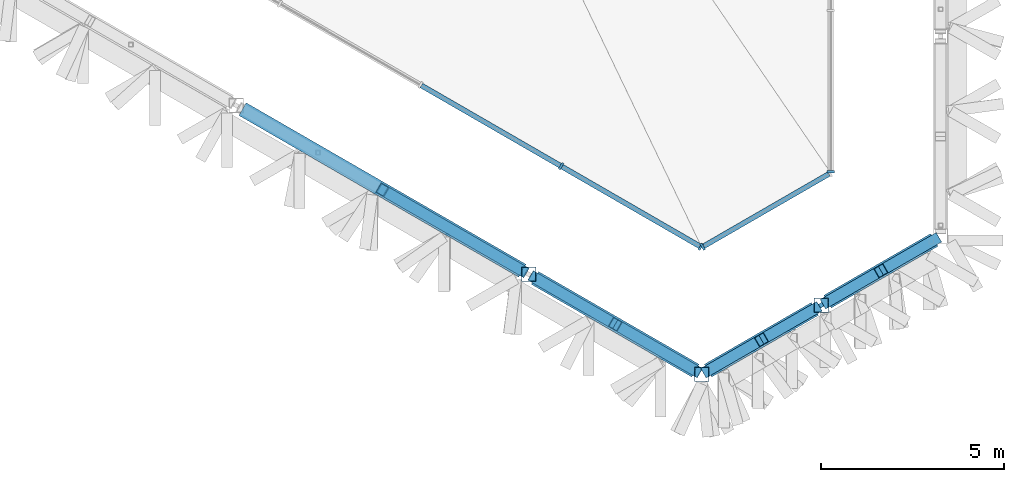
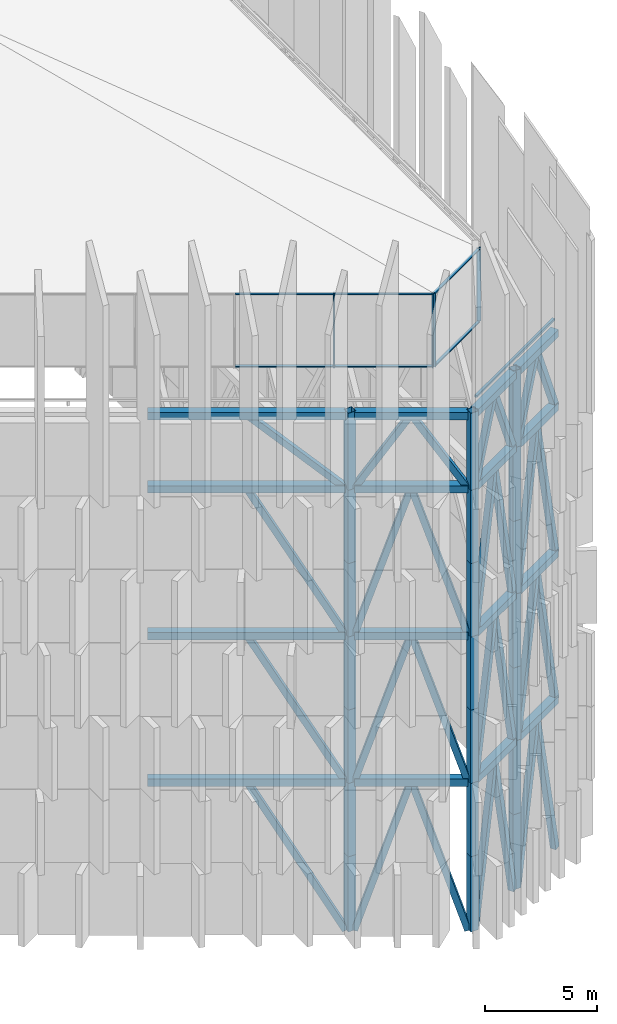
# One storey, part 6 of 45: 76 members, 3 elements without a shape of their own.
"""IFC4 building model written with IfcOpenShell, lengths in metres."""

from ifc_helpers import new_model, si_unit, direction, frame, origin, origin_2d, place, context, subcontext, project, spatial, rectangle, hollow_rectangle, extrude, material, layer, layer_set, material_profile, profile_set, type_object, element, aggregate, save


model = new_model("IFC4")

# Units and contexts
model_context = context("Model", 3, precision=1e-05, world=origin(), true_north=direction((0.0, 1.0)))
body_context = subcontext(model_context, "Body", "Model", "MODEL_VIEW")
ifc_project = project(units=[si_unit("LENGTHUNIT", "METRE"), si_unit("AREAUNIT", "SQUARE_METRE"), si_unit("VOLUMEUNIT", "CUBIC_METRE"), si_unit("PLANEANGLEUNIT", "RADIAN"), si_unit("MASSUNIT", "GRAM", prefix="KILO")], contexts=[model_context])

# Site, building, storey
site_placement = place(None, origin())
site = spatial("IfcSite", under=ifc_project, at=site_placement, CompositionType="ELEMENT")
building_placement = place(site_placement, origin())
building = spatial("IfcBuilding", under=site, at=building_placement, Name="Jabali Bay Hotel Tower and Convention Centre", CompositionType="ELEMENT")
storey_placement = place(building_placement, frame((0.0, 0.0, 322.39990234375)))
storey = spatial("IfcBuildingStorey", under=building, at=storey_placement, Name="Crown", CompositionType="ELEMENT", Elevation=322.39990234375)

# Member
ifc_material_1 = material(Name="Steel Q355B", Category="steel")
ifc_material_profile_1 = material_profile(ifc_material_1, hollow_rectangle(XDim=0.1201171875, YDim=0.1201171875, WallThickness=0.008056640625, at=origin_2d()), Name="BMU rail")
ifc_profile_set_1 = profile_set([ifc_material_profile_1], Name="Steel Q355B")
member_type_1 = type_object("IfcMemberType", Name="BMU rail", PredefinedType="USERDEFINED", material=ifc_profile_set_1)
member_1_placement = place(storey_placement, frame((86.88525390625, 52.481689453125, 28.66015625), z_axis=(0.866019616124, 0.500010024388, 0.0), x_axis=(-0.500010024388, 0.866019616124, 0.0)))
element("IfcMember", 1, at=member_1_placement, inside=storey, type_object=member_type_1, Name="BMU rail 6", ObjectType="BMU RAIL", PredefinedType="USERDEFINED", context=body_context, shape_type="SweptSolid", body=[
    extrude(hollow_rectangle(XDim=0.1201171875, YDim=0.1201171875, WallThickness=0.008056640625, at=origin_2d()), origin(), (0.0, 0.0, 1.0), 6.932373046875),
])

# Curtain wall, member
ifc_material_2 = material(Name="Aluminium and glass", Category="aluminium")
ifc_layer = layer(ifc_material_2, 0.199951171875)
ifc_layer_set = layer_set([ifc_layer], Name="Aluminium and glass")
curtain_wall_type = type_object("IfcCurtainWallType", Name="CW6 curtain wall", PredefinedType="NOTDEFINED", material=ifc_layer_set)
curtain_wall_1_placement = place(storey_placement, origin())
curtain_wall_1 = element("IfcCurtainWall", 2, at=curtain_wall_1_placement, inside=storey, type_object=curtain_wall_type, Name="CW6 lantern glazing 1", PredefinedType="NOTDEFINED")
ifc_material_3 = material(Name="Aluminium", Category="aluminium")
ifc_material_profile_2 = material_profile(ifc_material_3, rectangle(XDim=0.199951171875, YDim=0.06005859375, at=origin_2d()), Name="CW6 mullion 60 x 200")
ifc_profile_set_2 = profile_set([ifc_material_profile_2], Name="Aluminium")
member_type_2 = type_object("IfcMemberType", Name="CW6 mullion 60 x 200", PredefinedType="MULLION", material=ifc_profile_set_2)
member_2_placement = place(storey_placement, frame((90.148681640625, 57.860107421875, 28.35009765625), z_axis=(0.0, 0.0, 1.0), x_axis=(-1.0, 0.0, 0.0)))
member_2 = element("IfcMember", 3, at=member_2_placement, type_object=member_type_2, Name="CW6 mullion 1", PredefinedType="MULLION", context=body_context, shape_type="SweptSolid", body=[
    extrude(rectangle(XDim=0.199951171875, YDim=0.06005859375, at=origin_2d()), origin(), (0.0, 0.0, 1.0), 4.0),
])
aggregate(curtain_wall_1, [member_2])

# Curtain wall, members
curtain_wall_2_placement = place(storey_placement, origin())
curtain_wall_2 = element("IfcCurtainWall", 4, at=curtain_wall_2_placement, inside=storey, type_object=curtain_wall_type, Name="CW6 lantern glazing 5", PredefinedType="NOTDEFINED")
member_3_placement = place(storey_placement, frame((82.785400390625, 58.0126953125, 28.35009765625), z_axis=(0.0, 0.0, 1.0), x_axis=(0.500000005124, 0.866025400826, 0.0)))
member_3 = element("IfcMember", 5, at=member_3_placement, type_object=member_type_2, Name="CW6 mullion 10", PredefinedType="MULLION", context=body_context, shape_type="SweptSolid", body=[
    extrude(rectangle(XDim=0.199951171875, YDim=0.06005859375, at=origin_2d()), origin(), (0.0, 0.0, 1.0), 4.0),
])
member_4_placement = place(storey_placement, frame((86.599365234375, 55.810791015625, 28.35009765625), z_axis=(0.0, 0.0, 1.0), x_axis=(0.500000005124, 0.866025400826, 0.0)))
member_4 = element("IfcMember", 6, at=member_4_placement, type_object=member_type_2, Name="CW6 mullion 11", PredefinedType="MULLION", context=body_context, shape_type="SweptSolid", body=[
    extrude(rectangle(XDim=0.199951171875, YDim=0.06005859375, at=origin_2d()), origin(), (0.0, 0.0, 1.0), 4.0),
])

# Curtain wall, member
curtain_wall_3_placement = place(storey_placement, origin())
curtain_wall_3 = element("IfcCurtainWall", 7, at=curtain_wall_3_placement, inside=storey, type_object=curtain_wall_type, Name="CW6 lantern glazing 6", PredefinedType="NOTDEFINED")
member_5_placement = place(storey_placement, frame((86.6513671875, 55.810791015625, 28.35009765625), z_axis=(0.0, 0.0, 1.0), x_axis=(-0.499999973851, 0.866025418882, 0.0)))
member_5 = element("IfcMember", 8, at=member_5_placement, type_object=member_type_2, Name="CW6 mullion 1", PredefinedType="MULLION", context=body_context, shape_type="SweptSolid", body=[
    extrude(rectangle(XDim=0.199951171875, YDim=0.06005859375, at=origin_2d()), origin(), (0.0, 0.0, 1.0), 4.0),
])

# Member
ifc_material_profile_3 = material_profile(ifc_material_3, rectangle(XDim=0.139892578125, YDim=0.06005859375, at=origin_2d()), Name="CW6 transom 60 x 140")
ifc_profile_set_3 = profile_set([ifc_material_profile_3], Name="Aluminium")
member_type_3 = type_object("IfcMemberType", Name="CW6 transom 60 x 140", PredefinedType="USERDEFINED", material=ifc_profile_set_3)
member_6_placement = place(storey_placement, frame((78.971435546875, 60.21484375, 28.380126953125), z_axis=(0.866029434536, -0.499993018469, 0.0), x_axis=(0.499993018469, 0.866029434536, 0.0)))
member_6 = element("IfcMember", 9, at=member_6_placement, type_object=member_type_3, Name="CW6 transom 9.1", ObjectType="TRANSOM", PredefinedType="USERDEFINED", context=body_context, shape_type="SweptSolid", body=[
    extrude(rectangle(XDim=0.139892578125, YDim=0.06005859375, at=origin_2d()), origin(), (0.0, 0.0, 1.0), 4.3740234375),
])

member_7_placement = place(storey_placement, frame((78.971435546875, 60.21484375, 32.320068359375), z_axis=(0.866029434536, -0.499993018469, 0.0), x_axis=(0.499993018469, 0.866029434536, 0.0)))
member_7 = element("IfcMember", 10, at=member_7_placement, type_object=member_type_3, Name="CW6 transom 9.2", ObjectType="TRANSOM", PredefinedType="USERDEFINED", context=body_context, shape_type="SweptSolid", body=[
    extrude(rectangle(XDim=0.139892578125, YDim=0.06005859375, at=origin_2d()), origin(), (0.0, 0.0, 1.0), 4.3740234375),
])

member_8_placement = place(storey_placement, frame((82.811279296875, 57.997802734375, 28.380126953125), z_axis=(0.866048951036, -0.499959212746, 0.0), x_axis=(0.499959212746, 0.866048951036, 0.0)))
member_8 = element("IfcMember", 11, at=member_8_placement, type_object=member_type_3, Name="CW6 transom 10.1", ObjectType="TRANSOM", PredefinedType="USERDEFINED", context=body_context, shape_type="SweptSolid", body=[
    extrude(rectangle(XDim=0.139892578125, YDim=0.06005859375, at=origin_2d()), origin(), (0.0, 0.0, 1.0), 4.343994140625),
])

member_9_placement = place(storey_placement, frame((82.811279296875, 57.997802734375, 32.320068359375), z_axis=(0.866048951036, -0.499959212746, 0.0), x_axis=(0.499959212746, 0.866048951036, 0.0)))
member_9 = element("IfcMember", 12, at=member_9_placement, type_object=member_type_3, Name="CW6 transom 10.2", ObjectType="TRANSOM", PredefinedType="USERDEFINED", context=body_context, shape_type="SweptSolid", body=[
    extrude(rectangle(XDim=0.139892578125, YDim=0.06005859375, at=origin_2d()), origin(), (0.0, 0.0, 1.0), 4.343994140625),
])

aggregate(curtain_wall_2, [member_3, member_4, member_6, member_7, member_8, member_9])

member_10_placement = place(storey_placement, frame((86.67724609375, 55.825927734375, 28.380126953125), z_axis=(0.866050709169, 0.499956167226, 0.0), x_axis=(-0.499956167226, 0.866050709169, 0.0)))
member_10 = element("IfcMember", 13, at=member_10_placement, type_object=member_type_3, Name="CW6 transom 1.1", ObjectType="TRANSOM", PredefinedType="USERDEFINED", context=body_context, shape_type="SweptSolid", body=[
    extrude(rectangle(XDim=0.139892578125, YDim=0.06005859375, at=origin_2d()), origin(), (0.0, 0.0, 1.0), 3.948486328125),
])

member_11_placement = place(storey_placement, frame((86.67724609375, 55.825927734375, 32.320068359375), z_axis=(0.866050709169, 0.499956167226, 0.0), x_axis=(-0.499956167226, 0.866050709169, 0.0)))
member_11 = element("IfcMember", 14, at=member_11_placement, type_object=member_type_3, Name="CW6 transom 1.2", ObjectType="TRANSOM", PredefinedType="USERDEFINED", context=body_context, shape_type="SweptSolid", body=[
    extrude(rectangle(XDim=0.139892578125, YDim=0.06005859375, at=origin_2d()), origin(), (0.0, 0.0, 1.0), 3.948486328125),
])

aggregate(curtain_wall_3, [member_5, member_10, member_11])

# Members
ifc_material_4 = material(Name="Steel Q420GJC", Category="steel")
ifc_material_profile_4 = material_profile(ifc_material_4, hollow_rectangle(XDim=0.300048828125, YDim=0.300048828125, WallThickness=0.01611328125, at=origin_2d()), Name="Crown frame brace 300x300x16")
ifc_profile_set_4 = profile_set([ifc_material_profile_4], Name="Steel Q420GJC")
member_type_4 = type_object("IfcMemberType", Name="Crown frame brace 300x300x16", PredefinedType="USERDEFINED", material=ifc_profile_set_4)
member_12_placement = place(storey_placement, frame((81.726806640625, 55.159912109375, -0.099853515625), z_axis=(-0.415356517765, 0.239807408653, 0.877480125077), x_axis=(-0.5000018942, -0.866024310165, 0.0)))
element("IfcMember", 15, at=member_12_placement, inside=storey, type_object=member_type_4, Name="Crown brace 1 F2.4-F2.5r", ObjectType="CROWN FRAME", PredefinedType="USERDEFINED", context=body_context, shape_type="SweptSolid", body=[
    extrude(hollow_rectangle(XDim=0.300048828125, YDim=0.300048828125, WallThickness=0.01611328125, at=origin_2d()), origin(), (0.0, 0.0, 1.0), 9.1982421875),
])
for number, where, z_axis, x_axis, name in (
    (16, (82.072998046875, 54.9599609375, -0.099853515625), (0.258889187092, -0.149462393886, 0.954273221683), (0.499981564561, 0.866036047228, 0.0), "Crown brace 1 F2.5-V5l"),
    (17, (86.4521484375, 52.431640625, -0.099853515625), (-0.258862256531, 0.14946351074, 0.954280352465), (-0.500023377642, -0.866011906276, 0.0), "Crown brace 1 F2.5-V5r"),
):
    element("IfcMember", number, at=place(storey_placement, frame(where, z_axis=z_axis, x_axis=x_axis)), inside=storey, type_object=member_type_4, Name=name, ObjectType="CROWN FRAME", PredefinedType="USERDEFINED", context=body_context, shape_type="SweptSolid", body=[
        extrude(hollow_rectangle(XDim=0.300048828125, YDim=0.300048828125, WallThickness=0.01611328125, at=origin_2d()), origin(), (0.0, 0.0, 1.0), 8.4580078125),
    ])
for number, where, z_axis, x_axis, name in (
    (18, (86.798583984375, 52.431640625, -0.099853515625), (0.176778438354, 0.102069560637, 0.978943914902), (-0.500023814363, 0.866011654119, 0.0), "Crown brace 1 V5-M2l"),
    (19, (89.7138671875, 54.11474609375, -0.099853515625), (-0.176807123891, -0.102069026302, 0.978938790125), (0.499961005871, -0.866047915885, 0.0), "Crown brace 1 V5-M2r"),
    (20, (90.060302734375, 54.31494140625, -0.099853515625), (0.176778438354, 0.102069560637, 0.978943914902), (-0.500023814363, 0.866011654119, 0.0), "Crown brace 1 M2-V0l"),
    (21, (92.9755859375, 55.998046875, -0.099853515625), (-0.176807123891, -0.102069026302, 0.978938790125), (0.499961005871, -0.866047915885, 0.0), "Crown brace 1 M2-V0r"),
):
    element("IfcMember", number, at=place(storey_placement, frame(where, z_axis=z_axis, x_axis=x_axis)), inside=storey, type_object=member_type_4, Name=name, ObjectType="CROWN FRAME", PredefinedType="USERDEFINED", context=body_context, shape_type="SweptSolid", body=[
        extrude(hollow_rectangle(XDim=0.300048828125, YDim=0.300048828125, WallThickness=0.01611328125, at=origin_2d()), origin(), (0.0, 0.0, 1.0), 8.244873046875),
    ])
member_13_placement = place(storey_placement, frame((81.726806640625, 55.159912109375, 7.971435546875), z_axis=(-0.419345319905, 0.242110356275, 0.874946900136), x_axis=(-0.5000018942, -0.866024310165, 0.0)))
element("IfcMember", 22, at=member_13_placement, inside=storey, type_object=member_type_4, Name="Crown brace 2 F2.4-F2.5r", ObjectType="CROWN FRAME", PredefinedType="USERDEFINED", context=body_context, shape_type="SweptSolid", body=[
    extrude(hollow_rectangle(XDim=0.300048828125, YDim=0.300048828125, WallThickness=0.01611328125, at=origin_2d()), origin(), (0.0, 0.0, 1.0), 9.11083984375),
])
for number, where, z_axis, x_axis, name in (
    (23, (82.072998046875, 54.9599609375, 7.971435546875), (0.261837371857, -0.151164445476, 0.953200136972), (0.499981564561, 0.866036047228, 0.0), "Crown brace 2 F2.5-V5l"),
    (24, (86.4521484375, 52.431640625, 7.971435546875), (-0.261810179426, 0.151165600922, 0.953207422887), (-0.500023377642, -0.866011906276, 0.0), "Crown brace 2 F2.5-V5r"),
):
    element("IfcMember", number, at=place(storey_placement, frame(where, z_axis=z_axis, x_axis=x_axis)), inside=storey, type_object=member_type_4, Name=name, ObjectType="CROWN FRAME", PredefinedType="USERDEFINED", context=body_context, shape_type="SweptSolid", body=[
        extrude(hollow_rectangle(XDim=0.300048828125, YDim=0.300048828125, WallThickness=0.01611328125, at=origin_2d()), origin(), (0.0, 0.0, 1.0), 8.36279296875),
    ])
for number, where, z_axis, x_axis, name in (
    (25, (86.798583984375, 52.431640625, 7.971435546875), (0.178898900157, 0.103293887578, 0.978430148918), (-0.500023814363, 0.866011654119, 0.0), "Crown brace 2 V5-M2l"),
    (26, (89.7138671875, 54.11474609375, 7.971435546875), (-0.178927907173, -0.103293333784, 0.978424903215), (0.499961005871, -0.866047915885, 0.0), "Crown brace 2 V5-M2r"),
    (27, (90.060302734375, 54.31494140625, 7.971435546875), (0.178898900157, 0.103293887578, 0.978430148918), (-0.500023814363, 0.866011654119, 0.0), "Crown brace 2 M2-V0l"),
    (28, (92.9755859375, 55.998046875, 7.971435546875), (-0.178927907173, -0.103293333784, 0.978424903215), (0.499961005871, -0.866047915885, 0.0), "Crown brace 2 M2-V0r"),
):
    element("IfcMember", number, at=place(storey_placement, frame(where, z_axis=z_axis, x_axis=x_axis)), inside=storey, type_object=member_type_4, Name=name, ObjectType="CROWN FRAME", PredefinedType="USERDEFINED", context=body_context, shape_type="SweptSolid", body=[
        extrude(hollow_rectangle(XDim=0.300048828125, YDim=0.300048828125, WallThickness=0.01611328125, at=origin_2d()), origin(), (0.0, 0.0, 1.0), 8.147216796875),
    ])
member_14_placement = place(storey_placement, frame((81.726806640625, 55.159912109375, 15.94287109375), z_axis=(-0.419345319905, 0.242110356275, 0.874946900136), x_axis=(-0.5000018942, -0.866024310165, 0.0)))
element("IfcMember", 29, at=member_14_placement, inside=storey, type_object=member_type_4, Name="Crown brace 3 F2.4-F2.5r", ObjectType="CROWN FRAME", PredefinedType="USERDEFINED", context=body_context, shape_type="SweptSolid", body=[
    extrude(hollow_rectangle(XDim=0.300048828125, YDim=0.300048828125, WallThickness=0.01611328125, at=origin_2d()), origin(), (0.0, 0.0, 1.0), 9.11083984375),
])
for number, where, z_axis, x_axis, name in (
    (30, (82.072998046875, 54.9599609375, 15.94287109375), (0.261837371857, -0.151164445476, 0.953200136972), (0.499981564561, 0.866036047228, 0.0), "Crown brace 3 F2.5-V5l"),
    (31, (86.4521484375, 52.431640625, 15.94287109375), (-0.261810179426, 0.151165600922, 0.953207422887), (-0.500023377642, -0.866011906276, 0.0), "Crown brace 3 F2.5-V5r"),
):
    element("IfcMember", number, at=place(storey_placement, frame(where, z_axis=z_axis, x_axis=x_axis)), inside=storey, type_object=member_type_4, Name=name, ObjectType="CROWN FRAME", PredefinedType="USERDEFINED", context=body_context, shape_type="SweptSolid", body=[
        extrude(hollow_rectangle(XDim=0.300048828125, YDim=0.300048828125, WallThickness=0.01611328125, at=origin_2d()), origin(), (0.0, 0.0, 1.0), 8.36279296875),
    ])
for number, where, z_axis, x_axis, name in (
    (32, (86.798583984375, 52.431640625, 15.94287109375), (0.178898900157, 0.103293887578, 0.978430148918), (-0.500023814363, 0.866011654119, 0.0), "Crown brace 3 V5-M2l"),
    (33, (89.7138671875, 54.11474609375, 15.94287109375), (-0.178927907173, -0.103293333784, 0.978424903215), (0.499961005871, -0.866047915885, 0.0), "Crown brace 3 V5-M2r"),
    (34, (90.060302734375, 54.31494140625, 15.94287109375), (0.178898900157, 0.103293887578, 0.978430148918), (-0.500023814363, 0.866011654119, 0.0), "Crown brace 3 M2-V0l"),
    (35, (92.9755859375, 55.998046875, 15.94287109375), (-0.178927907173, -0.103293333784, 0.978424903215), (0.499961005871, -0.866047915885, 0.0), "Crown brace 3 M2-V0r"),
):
    element("IfcMember", number, at=place(storey_placement, frame(where, z_axis=z_axis, x_axis=x_axis)), inside=storey, type_object=member_type_4, Name=name, ObjectType="CROWN FRAME", PredefinedType="USERDEFINED", context=body_context, shape_type="SweptSolid", body=[
        extrude(hollow_rectangle(XDim=0.300048828125, YDim=0.300048828125, WallThickness=0.01611328125, at=origin_2d()), origin(), (0.0, 0.0, 1.0), 8.147216796875),
    ])
member_15_placement = place(storey_placement, frame((81.726806640625, 55.159912109375, 23.914306640625), z_axis=(-0.642594518952, 0.371003992506, 0.67039415403), x_axis=(-0.5000018942, -0.866024310165, 0.0)))
element("IfcMember", 36, at=member_15_placement, inside=storey, type_object=member_type_4, Name="Crown brace 4 F2.4-F2.5r", ObjectType="CROWN FRAME", PredefinedType="USERDEFINED", context=body_context, shape_type="SweptSolid", body=[
    extrude(hollow_rectangle(XDim=0.300048828125, YDim=0.300048828125, WallThickness=0.01611328125, at=origin_2d()), origin(), (0.0, 0.0, 1.0), 5.945556640625),
])
member_16_placement = place(storey_placement, frame((82.072998046875, 54.9599609375, 23.914306640625), z_axis=(0.463904395894, -0.267822160992, 0.844431170405), x_axis=(0.499981564561, 0.866036047228, 0.0)))
element("IfcMember", 37, at=member_16_placement, inside=storey, type_object=member_type_4, Name="Crown brace 4 F2.5-V5l", ObjectType="CROWN FRAME", PredefinedType="USERDEFINED", context=body_context, shape_type="SweptSolid", body=[
    extrude(hollow_rectangle(XDim=0.300048828125, YDim=0.300048828125, WallThickness=0.01611328125, at=origin_2d()), origin(), (0.0, 0.0, 1.0), 4.72021484375),
])
member_17_placement = place(storey_placement, frame((86.4521484375, 52.431640625, 23.914306640625), z_axis=(-0.463863802529, 0.267828587142, 0.844451431767), x_axis=(-0.500023377642, -0.866011906276, 0.0)))
element("IfcMember", 38, at=member_17_placement, inside=storey, type_object=member_type_4, Name="Crown brace 4 F2.5-V5r", ObjectType="CROWN FRAME", PredefinedType="USERDEFINED", context=body_context, shape_type="SweptSolid", body=[
    extrude(hollow_rectangle(XDim=0.300048828125, YDim=0.300048828125, WallThickness=0.01611328125, at=origin_2d()), origin(), (0.0, 0.0, 1.0), 4.719970703125),
])
for number, where, z_axis, x_axis, name in (
    (39, (86.798583984375, 52.431640625, 23.914306640625), (0.336873878655, 0.194506576168, 0.921240023939), (-0.500023814363, 0.866011654119, 0.0), "Crown brace 4 V5-M2l"),
    (40, (89.7138671875, 54.11474609375, 23.914306640625), (-0.336923901362, -0.194502878579, 0.921222511077), (0.499961005871, -0.866047915885, 0.0), "Crown brace 4 V5-M2r"),
    (41, (90.060302734375, 54.31494140625, 23.914306640625), (0.336873878655, 0.194506576168, 0.921240023939), (-0.500023814363, 0.866011654119, 0.0), "Crown brace 4 M2-V0l"),
    (42, (92.9755859375, 55.998046875, 23.914306640625), (-0.336923901362, -0.194502878579, 0.921222511077), (0.499961005871, -0.866047915885, 0.0), "Crown brace 4 M2-V0r"),
):
    element("IfcMember", number, at=place(storey_placement, frame(where, z_axis=z_axis, x_axis=x_axis)), inside=storey, type_object=member_type_4, Name=name, ObjectType="CROWN FRAME", PredefinedType="USERDEFINED", context=body_context, shape_type="SweptSolid", body=[
        extrude(hollow_rectangle(XDim=0.300048828125, YDim=0.300048828125, WallThickness=0.01611328125, at=origin_2d()), origin(), (0.0, 0.0, 1.0), 4.32666015625),
    ])
ifc_material_profile_5 = material_profile(ifc_material_4, hollow_rectangle(XDim=0.39990234375, YDim=0.39990234375, WallThickness=0.02001953125, at=origin_2d()), Name="Crown frame member 400x400x20")
ifc_profile_set_5 = profile_set([ifc_material_profile_5], Name="Steel Q420GJC")
member_type_5 = type_object("IfcMemberType", Name="Crown frame member 400x400x20", PredefinedType="USERDEFINED", material=ifc_profile_set_5)
for number, where, z_axis, x_axis, name in (
    (43, (81.89990234375, 55.06005859375, -0.099853515625), (0.0, 0.0, 1.0), (1.0, 0.0, 0.0), "Crown post F2.5 1"),
    (44, (86.625244140625, 52.331787109375, -0.099853515625), (0.0, 0.0, 1.0), (1.0, 0.0, 0.0), "Crown post V5 1"),
    (45, (89.886962890625, 54.21484375, -0.099853515625), (0.0, 0.0, 1.0), (1.0, 0.0, 0.0), "Crown post M2 1"),
):
    element("IfcMember", number, at=place(storey_placement, frame(where, z_axis=z_axis, x_axis=x_axis)), inside=storey, type_object=member_type_5, Name=name, ObjectType="CROWN FRAME", PredefinedType="USERDEFINED", context=body_context, shape_type="SweptSolid", body=[
        extrude(hollow_rectangle(XDim=0.39990234375, YDim=0.39990234375, WallThickness=0.02001953125, at=origin_2d()), origin(), (0.0, 0.0, 1.0), 4.085693359375),
    ])
for number, where, z_axis, x_axis, name in (
    (46, (81.89990234375, 55.06005859375, 3.98583984375), (0.0, 0.0, 1.0), (1.0, 0.0, 0.0), "Crown post F2.5 2"),
    (47, (86.625244140625, 52.331787109375, 3.98583984375), (0.0, 0.0, 1.0), (1.0, 0.0, 0.0), "Crown post V5 2"),
    (48, (89.886962890625, 54.21484375, 3.98583984375), (0.0, 0.0, 1.0), (1.0, 0.0, 0.0), "Crown post M2 2"),
):
    element("IfcMember", number, at=place(storey_placement, frame(where, z_axis=z_axis, x_axis=x_axis)), inside=storey, type_object=member_type_5, Name=name, ObjectType="CROWN FRAME", PredefinedType="USERDEFINED", context=body_context, shape_type="SweptSolid", body=[
        extrude(hollow_rectangle(XDim=0.39990234375, YDim=0.39990234375, WallThickness=0.02001953125, at=origin_2d()), origin(), (0.0, 0.0, 1.0), 3.985595703125),
    ])
for number, where, z_axis, x_axis, name in (
    (49, (81.89990234375, 55.06005859375, 7.971435546875), (0.0, 0.0, 1.0), (1.0, 0.0, 0.0), "Crown post F2.5 3"),
    (50, (86.625244140625, 52.331787109375, 7.971435546875), (0.0, 0.0, 1.0), (1.0, 0.0, 0.0), "Crown post V5 3"),
    (51, (89.886962890625, 54.21484375, 7.971435546875), (0.0, 0.0, 1.0), (1.0, 0.0, 0.0), "Crown post M2 3"),
):
    element("IfcMember", number, at=place(storey_placement, frame(where, z_axis=z_axis, x_axis=x_axis)), inside=storey, type_object=member_type_5, Name=name, ObjectType="CROWN FRAME", PredefinedType="USERDEFINED", context=body_context, shape_type="SweptSolid", body=[
        extrude(hollow_rectangle(XDim=0.39990234375, YDim=0.39990234375, WallThickness=0.02001953125, at=origin_2d()), origin(), (0.0, 0.0, 1.0), 3.98583984375),
    ])
for number, where, z_axis, x_axis, name in (
    (52, (81.89990234375, 55.06005859375, 11.957275390625), (0.0, 0.0, 1.0), (1.0, 0.0, 0.0), "Crown post F2.5 4"),
    (53, (86.625244140625, 52.331787109375, 11.957275390625), (0.0, 0.0, 1.0), (1.0, 0.0, 0.0), "Crown post V5 4"),
    (54, (89.886962890625, 54.21484375, 11.957275390625), (0.0, 0.0, 1.0), (1.0, 0.0, 0.0), "Crown post M2 4"),
):
    element("IfcMember", number, at=place(storey_placement, frame(where, z_axis=z_axis, x_axis=x_axis)), inside=storey, type_object=member_type_5, Name=name, ObjectType="CROWN FRAME", PredefinedType="USERDEFINED", context=body_context, shape_type="SweptSolid", body=[
        extrude(hollow_rectangle(XDim=0.39990234375, YDim=0.39990234375, WallThickness=0.02001953125, at=origin_2d()), origin(), (0.0, 0.0, 1.0), 3.985595703125),
    ])
for number, where, z_axis, x_axis, name in (
    (55, (81.89990234375, 55.06005859375, 15.94287109375), (0.0, 0.0, 1.0), (1.0, 0.0, 0.0), "Crown post F2.5 5"),
    (56, (86.625244140625, 52.331787109375, 15.94287109375), (0.0, 0.0, 1.0), (1.0, 0.0, 0.0), "Crown post V5 5"),
    (57, (89.886962890625, 54.21484375, 15.94287109375), (0.0, 0.0, 1.0), (1.0, 0.0, 0.0), "Crown post M2 5"),
):
    element("IfcMember", number, at=place(storey_placement, frame(where, z_axis=z_axis, x_axis=x_axis)), inside=storey, type_object=member_type_5, Name=name, ObjectType="CROWN FRAME", PredefinedType="USERDEFINED", context=body_context, shape_type="SweptSolid", body=[
        extrude(hollow_rectangle(XDim=0.39990234375, YDim=0.39990234375, WallThickness=0.02001953125, at=origin_2d()), origin(), (0.0, 0.0, 1.0), 3.98583984375),
    ])
for number, where, z_axis, x_axis, name in (
    (58, (81.89990234375, 55.06005859375, 19.9287109375), (0.0, 0.0, 1.0), (1.0, 0.0, 0.0), "Crown post F2.5 6"),
    (59, (86.625244140625, 52.331787109375, 19.9287109375), (0.0, 0.0, 1.0), (1.0, 0.0, 0.0), "Crown post V5 6"),
    (60, (89.886962890625, 54.21484375, 19.9287109375), (0.0, 0.0, 1.0), (1.0, 0.0, 0.0), "Crown post M2 6"),
):
    element("IfcMember", number, at=place(storey_placement, frame(where, z_axis=z_axis, x_axis=x_axis)), inside=storey, type_object=member_type_5, Name=name, ObjectType="CROWN FRAME", PredefinedType="USERDEFINED", context=body_context, shape_type="SweptSolid", body=[
        extrude(hollow_rectangle(XDim=0.39990234375, YDim=0.39990234375, WallThickness=0.02001953125, at=origin_2d()), origin(), (0.0, 0.0, 1.0), 3.985595703125),
    ])
for number, where, z_axis, x_axis, name in (
    (61, (81.89990234375, 55.06005859375, 23.914306640625), (0.0, 0.0, 1.0), (1.0, 0.0, 0.0), "Crown post F2.5 7"),
    (62, (86.625244140625, 52.331787109375, 23.914306640625), (0.0, 0.0, 1.0), (1.0, 0.0, 0.0), "Crown post V5 7"),
    (63, (89.886962890625, 54.21484375, 23.914306640625), (0.0, 0.0, 1.0), (1.0, 0.0, 0.0), "Crown post M2 7"),
):
    element("IfcMember", number, at=place(storey_placement, frame(where, z_axis=z_axis, x_axis=x_axis)), inside=storey, type_object=member_type_5, Name=name, ObjectType="CROWN FRAME", PredefinedType="USERDEFINED", context=body_context, shape_type="SweptSolid", body=[
        extrude(hollow_rectangle(XDim=0.39990234375, YDim=0.39990234375, WallThickness=0.02001953125, at=origin_2d()), origin(), (0.0, 0.0, 1.0), 4.185791015625),
    ])
member_18_placement = place(storey_placement, frame((74.0859375, 59.5712890625, 7.971435546875), z_axis=(0.866029374302, -0.499993122799, 0.0), x_axis=(0.499993122799, 0.866029374302, 0.0)))
element("IfcMember", 64, at=member_18_placement, inside=storey, type_object=member_type_5, Name="Crown ring 330.371 F2.4-F2.5", ObjectType="CROWN FRAME", PredefinedType="USERDEFINED", context=body_context, shape_type="SweptSolid", body=[
    extrude(hollow_rectangle(XDim=0.39990234375, YDim=0.39990234375, WallThickness=0.02001953125, at=origin_2d()), origin(), (0.0, 0.0, 1.0), 8.82275390625),
])
member_19_placement = place(storey_placement, frame((82.072998046875, 54.9599609375, 7.971435546875), z_axis=(0.866023977509, -0.500002470373, 0.0), x_axis=(0.500002470373, 0.866023977509, 0.0)))
element("IfcMember", 65, at=member_19_placement, inside=storey, type_object=member_type_5, Name="Crown ring 330.371 F2.5-V5", ObjectType="CROWN FRAME", PredefinedType="USERDEFINED", context=body_context, shape_type="SweptSolid", body=[
    extrude(hollow_rectangle(XDim=0.39990234375, YDim=0.39990234375, WallThickness=0.02001953125, at=origin_2d()), origin(), (0.0, 0.0, 1.0), 5.056640625),
])
for number, where, z_axis, x_axis, name in (
    (66, (86.798583984375, 52.431640625, 7.971435546875), (0.86602978671, 0.499992408473, 0.0), (-0.499992408473, 0.86602978671, 0.0), "Crown ring 330.371 V5-M2"),
    (67, (90.060302734375, 54.31494140625, 7.971435546875), (0.86602978671, 0.499992408473, 0.0), (-0.499992408473, 0.86602978671, 0.0), "Crown ring 330.371 M2-V0"),
):
    element("IfcMember", number, at=place(storey_placement, frame(where, z_axis=z_axis, x_axis=x_axis)), inside=storey, type_object=member_type_5, Name=name, ObjectType="CROWN FRAME", PredefinedType="USERDEFINED", context=body_context, shape_type="SweptSolid", body=[
        extrude(hollow_rectangle(XDim=0.39990234375, YDim=0.39990234375, WallThickness=0.02001953125, at=origin_2d()), origin(), (0.0, 0.0, 1.0), 3.3662109375),
    ])
member_20_placement = place(storey_placement, frame((74.0859375, 59.5712890625, 15.94287109375), z_axis=(0.866029374302, -0.499993122799, 0.0), x_axis=(0.499993122799, 0.866029374302, 0.0)))
element("IfcMember", 68, at=member_20_placement, inside=storey, type_object=member_type_5, Name="Crown ring 338.343 F2.4-F2.5", ObjectType="CROWN FRAME", PredefinedType="USERDEFINED", context=body_context, shape_type="SweptSolid", body=[
    extrude(hollow_rectangle(XDim=0.39990234375, YDim=0.39990234375, WallThickness=0.02001953125, at=origin_2d()), origin(), (0.0, 0.0, 1.0), 8.82275390625),
])
member_21_placement = place(storey_placement, frame((82.072998046875, 54.9599609375, 15.94287109375), z_axis=(0.866023977509, -0.500002470373, 0.0), x_axis=(0.500002470373, 0.866023977509, 0.0)))
element("IfcMember", 69, at=member_21_placement, inside=storey, type_object=member_type_5, Name="Crown ring 338.343 F2.5-V5", ObjectType="CROWN FRAME", PredefinedType="USERDEFINED", context=body_context, shape_type="SweptSolid", body=[
    extrude(hollow_rectangle(XDim=0.39990234375, YDim=0.39990234375, WallThickness=0.02001953125, at=origin_2d()), origin(), (0.0, 0.0, 1.0), 5.056640625),
])
for number, where, z_axis, x_axis, name in (
    (70, (86.798583984375, 52.431640625, 15.94287109375), (0.86602978671, 0.499992408473, 0.0), (-0.499992408473, 0.86602978671, 0.0), "Crown ring 338.343 V5-M2"),
    (71, (90.060302734375, 54.31494140625, 15.94287109375), (0.86602978671, 0.499992408473, 0.0), (-0.499992408473, 0.86602978671, 0.0), "Crown ring 338.343 M2-V0"),
):
    element("IfcMember", number, at=place(storey_placement, frame(where, z_axis=z_axis, x_axis=x_axis)), inside=storey, type_object=member_type_5, Name=name, ObjectType="CROWN FRAME", PredefinedType="USERDEFINED", context=body_context, shape_type="SweptSolid", body=[
        extrude(hollow_rectangle(XDim=0.39990234375, YDim=0.39990234375, WallThickness=0.02001953125, at=origin_2d()), origin(), (0.0, 0.0, 1.0), 3.3662109375),
    ])
member_22_placement = place(storey_placement, frame((74.0859375, 59.5712890625, 23.914306640625), z_axis=(0.866029374302, -0.499993122799, 0.0), x_axis=(0.499993122799, 0.866029374302, 0.0)))
element("IfcMember", 72, at=member_22_placement, inside=storey, type_object=member_type_5, Name="Crown ring 346.314 F2.4-F2.5", ObjectType="CROWN FRAME", PredefinedType="USERDEFINED", context=body_context, shape_type="SweptSolid", body=[
    extrude(hollow_rectangle(XDim=0.39990234375, YDim=0.39990234375, WallThickness=0.02001953125, at=origin_2d()), origin(), (0.0, 0.0, 1.0), 8.82275390625),
])
member_23_placement = place(storey_placement, frame((82.072998046875, 54.9599609375, 23.914306640625), z_axis=(0.866023977509, -0.500002470373, 0.0), x_axis=(0.500002470373, 0.866023977509, 0.0)))
element("IfcMember", 73, at=member_23_placement, inside=storey, type_object=member_type_5, Name="Crown ring 346.314 F2.5-V5", ObjectType="CROWN FRAME", PredefinedType="USERDEFINED", context=body_context, shape_type="SweptSolid", body=[
    extrude(hollow_rectangle(XDim=0.39990234375, YDim=0.39990234375, WallThickness=0.02001953125, at=origin_2d()), origin(), (0.0, 0.0, 1.0), 5.056640625),
])
for number, where, z_axis, x_axis, name in (
    (74, (86.798583984375, 52.431640625, 23.914306640625), (0.86602978671, 0.499992408473, 0.0), (-0.499992408473, 0.86602978671, 0.0), "Crown ring 346.314 V5-M2"),
    (75, (90.060302734375, 54.31494140625, 23.914306640625), (0.86602978671, 0.499992408473, 0.0), (-0.499992408473, 0.86602978671, 0.0), "Crown ring 346.314 M2-V0"),
):
    element("IfcMember", number, at=place(storey_placement, frame(where, z_axis=z_axis, x_axis=x_axis)), inside=storey, type_object=member_type_5, Name=name, ObjectType="CROWN FRAME", PredefinedType="USERDEFINED", context=body_context, shape_type="SweptSolid", body=[
        extrude(hollow_rectangle(XDim=0.39990234375, YDim=0.39990234375, WallThickness=0.02001953125, at=origin_2d()), origin(), (0.0, 0.0, 1.0), 3.3662109375),
    ])
member_24_placement = place(storey_placement, frame((74.0859375, 59.5712890625, 27.900146484375), z_axis=(0.866029374302, -0.499993122799, 0.0), x_axis=(0.499993122799, 0.866029374302, 0.0)))
element("IfcMember", 76, at=member_24_placement, inside=storey, type_object=member_type_5, Name="Crown ring 350.3 F2.4-F2.5", ObjectType="CROWN FRAME", PredefinedType="USERDEFINED", context=body_context, shape_type="SweptSolid", body=[
    extrude(hollow_rectangle(XDim=0.39990234375, YDim=0.39990234375, WallThickness=0.02001953125, at=origin_2d()), origin(), (0.0, 0.0, 1.0), 8.82275390625),
])
member_25_placement = place(storey_placement, frame((82.072998046875, 54.9599609375, 27.900146484375), z_axis=(0.866023977509, -0.500002470373, 0.0), x_axis=(0.500002470373, 0.866023977509, 0.0)))
element("IfcMember", 77, at=member_25_placement, inside=storey, type_object=member_type_5, Name="Crown ring 350.3 F2.5-V5", ObjectType="CROWN FRAME", PredefinedType="USERDEFINED", context=body_context, shape_type="SweptSolid", body=[
    extrude(hollow_rectangle(XDim=0.39990234375, YDim=0.39990234375, WallThickness=0.02001953125, at=origin_2d()), origin(), (0.0, 0.0, 1.0), 5.056640625),
])
for number, where, z_axis, x_axis, name in (
    (78, (86.798583984375, 52.431640625, 27.900146484375), (0.86602978671, 0.499992408473, 0.0), (-0.499992408473, 0.86602978671, 0.0), "Crown ring 350.3 V5-M2"),
    (79, (90.060302734375, 54.31494140625, 27.900146484375), (0.86602978671, 0.499992408473, 0.0), (-0.499992408473, 0.86602978671, 0.0), "Crown ring 350.3 M2-V0"),
):
    element("IfcMember", number, at=place(storey_placement, frame(where, z_axis=z_axis, x_axis=x_axis)), inside=storey, type_object=member_type_5, Name=name, ObjectType="CROWN FRAME", PredefinedType="USERDEFINED", context=body_context, shape_type="SweptSolid", body=[
        extrude(hollow_rectangle(XDim=0.39990234375, YDim=0.39990234375, WallThickness=0.02001953125, at=origin_2d()), origin(), (0.0, 0.0, 1.0), 3.3662109375),
    ])

save(model, "model.ifc")
